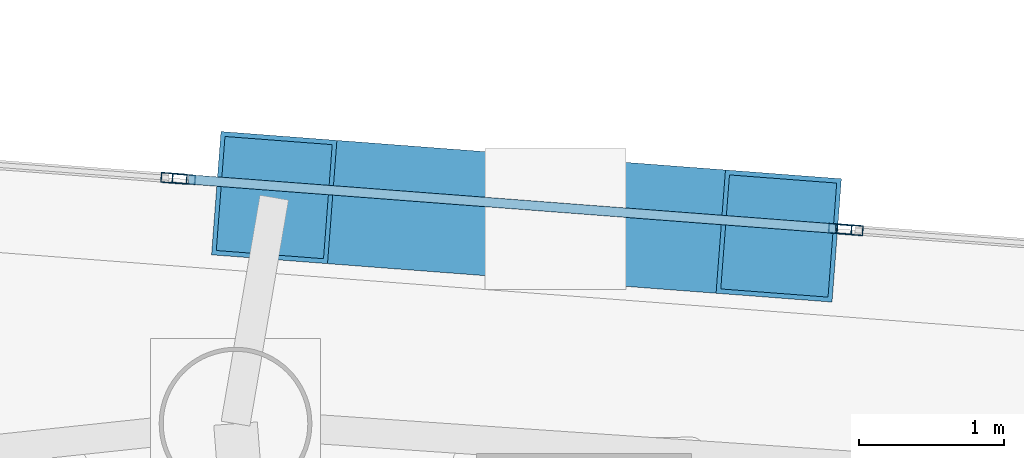
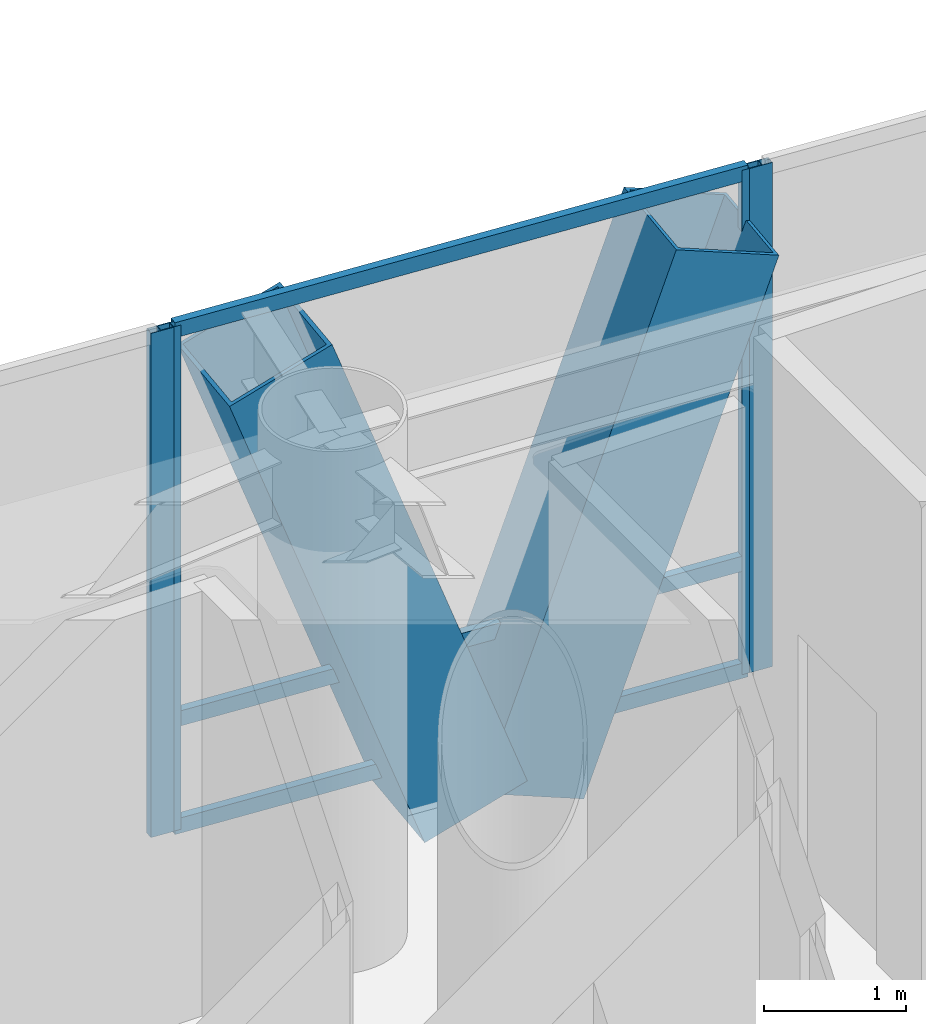
# One storey, part 13 of 21: 9 members, 3 elements without a shape of their own.
"""IFC4 building model written with IfcOpenShell, lengths in metres."""

from ifc_helpers import new_model, si_unit, direction, frame, origin, origin_2d, place, context, subcontext, project, spatial, hollow_rectangle, extrude, material, layer, layer_set, material_profile, profile_set, type_object, element, aggregate, save


model = new_model("IFC4")

# Units and contexts
model_context = context("Model", 3, precision=1e-05, world=origin(), true_north=direction((0.0, 1.0)))
body_context = subcontext(model_context, "Body", "Model", "MODEL_VIEW")
ifc_project = project(units=[si_unit("LENGTHUNIT", "METRE"), si_unit("AREAUNIT", "SQUARE_METRE"), si_unit("VOLUMEUNIT", "CUBIC_METRE"), si_unit("PLANEANGLEUNIT", "RADIAN"), si_unit("MASSUNIT", "GRAM", prefix="KILO")], contexts=[model_context])

# Site, building, storey
site_placement = place(None, origin())
site = spatial("IfcSite", under=ifc_project, at=site_placement, CompositionType="ELEMENT")
building_placement = place(site_placement, origin())
building = spatial("IfcBuilding", under=site, at=building_placement, Name="Qianvela Tower", CompositionType="ELEMENT")
storey_placement = place(building_placement, frame((0.0, 0.0, 234.5)))
storey = spatial("IfcBuildingStorey", under=building, at=storey_placement, Name="L60", CompositionType="ELEMENT", Elevation=234.5)

# Curtain wall, members
ifc_material_1 = material(Name="Anodised Architectural Aluminium and Insulated Spandrel Panel", Category="aluminium")
ifc_layer_1 = layer(ifc_material_1, 0.179931640625)
ifc_layer_set_1 = layer_set([ifc_layer_1], Name="Anodised Architectural Aluminium and Insulated Spandrel Panel")
curtain_wall_type_1 = type_object("IfcCurtainWallType", Name="CW-BRACEBAY", PredefinedType="USERDEFINED", material=ifc_layer_set_1)
curtain_wall_1_placement = place(storey_placement, origin())
curtain_wall_1 = element("IfcCurtainWall", 1, at=curtain_wall_1_placement, inside=storey, type_object=curtain_wall_type_1, Name="L60 CW-BRACEBAY Curtain Wall 02B", ObjectType="CURTAIN_WALL_SYSTEM", PredefinedType="USERDEFINED")
ifc_material_2 = material(Name="Anodised Architectural Aluminium 6063-T6", Category="aluminium")
ifc_material_profile_1 = material_profile(ifc_material_2, hollow_rectangle(XDim=0.06494140625, YDim=0.159912109375, WallThickness=0.0048828125, at=origin_2d()), Name="ALU-MULL-65x160")
ifc_profile_set_1 = profile_set([ifc_material_profile_1], Name="Anodised Architectural Aluminium 6063-T6")
member_type_1 = type_object("IfcMemberType", Name="CW-BRACEBAY-MULL", PredefinedType="MULLION", material=ifc_profile_set_1)
member_1_placement = place(storey_placement, frame((42.38134765625, 37.110595703125, 0.0), z_axis=(0.0, 0.0, 1.0), x_axis=(-0.075905102383, -0.997115046237, 0.0)))
member_1 = element("IfcMember", 2, at=member_1_placement, type_object=member_type_1, Name="CW-9 mullion 1", PredefinedType="MULLION", context=body_context, shape_type="SweptSolid", body=[
    extrude(hollow_rectangle(XDim=0.06494140625, YDim=0.159912109375, WallThickness=0.0048828125, at=origin_2d()), origin(), (0.0, 0.0, 1.0), 4.320068359375),
])
member_2_placement = place(storey_placement, frame((37.869384765625, 37.4541015625, 0.0), z_axis=(0.0, 0.0, 1.0), x_axis=(-0.075905102383, -0.997115046237, 0.0)))
member_2 = element("IfcMember", 3, at=member_2_placement, type_object=member_type_1, Name="CW-9 mullion 2", PredefinedType="MULLION", context=body_context, shape_type="SweptSolid", body=[
    extrude(hollow_rectangle(XDim=0.06494140625, YDim=0.159912109375, WallThickness=0.0048828125, at=origin_2d()), origin(), (0.0, 0.0, 1.0), 4.320068359375),
])
ifc_material_3 = material(Name="Anodised Architectural Aluminium 6063-T6", Category="aluminium")
ifc_material_profile_2 = material_profile(ifc_material_3, hollow_rectangle(XDim=0.06494140625, YDim=0.1298828125, WallThickness=0.00439453125, at=origin_2d()), Name="ALU-TRAN-65x130")
ifc_profile_set_2 = profile_set([ifc_material_profile_2], Name="Anodised Architectural Aluminium 6063-T6")
member_type_2 = type_object("IfcMemberType", Name="CW-BRACEBAY-TRAN", PredefinedType="USERDEFINED", material=ifc_profile_set_2)
member_3_placement = place(storey_placement, frame((42.348876953125, 37.113037109375, 0.032470703125), z_axis=(-0.997113437434, 0.075926233199, 0.0), x_axis=(-0.075926233199, -0.997113437434, 0.0)))
member_3 = element("IfcMember", 4, at=member_3_placement, type_object=member_type_2, Name="CW-9 transom 1.1", ObjectType="TRANSOM", PredefinedType="USERDEFINED", context=body_context, shape_type="SweptSolid", body=[
    extrude(hollow_rectangle(XDim=0.06494140625, YDim=0.1298828125, WallThickness=0.00439453125, at=origin_2d()), origin(), (0.0, 0.0, 1.0), 4.4599609375),
])
member_4_placement = place(storey_placement, frame((42.348876953125, 37.113037109375, 0.949951171875), z_axis=(-0.997113437434, 0.075926233199, 0.0), x_axis=(-0.075926233199, -0.997113437434, 0.0)))
member_4 = element("IfcMember", 5, at=member_4_placement, type_object=member_type_2, Name="CW-9 transom 1.2", ObjectType="TRANSOM", PredefinedType="USERDEFINED", context=body_context, shape_type="SweptSolid", body=[
    extrude(hollow_rectangle(XDim=0.06494140625, YDim=0.1298828125, WallThickness=0.00439453125, at=origin_2d()), origin(), (0.0, 0.0, 1.0), 4.4599609375),
])
member_5_placement = place(storey_placement, frame((42.348876953125, 37.113037109375, 4.28759765625), z_axis=(-0.997113437434, 0.075926233199, 0.0), x_axis=(-0.075926233199, -0.997113437434, 0.0)))
member_5 = element("IfcMember", 6, at=member_5_placement, type_object=member_type_2, Name="CW-9 transom 1.3", ObjectType="TRANSOM", PredefinedType="USERDEFINED", context=body_context, shape_type="SweptSolid", body=[
    extrude(hollow_rectangle(XDim=0.06494140625, YDim=0.1298828125, WallThickness=0.00439453125, at=origin_2d()), origin(), (0.0, 0.0, 1.0), 4.4599609375),
])
aggregate(curtain_wall_1, [member_1, member_2, member_3, member_4, member_5])

# Curtain wall, member
ifc_material_4 = material(Name="Anodised Architectural Aluminium and Low-E Glass", Category="aluminium")
ifc_layer_2 = layer(ifc_material_4, 0.18994140625)
ifc_layer_set_2 = layer_set([ifc_layer_2], Name="Anodised Architectural Aluminium and Low-E Glass")
curtain_wall_type_2 = type_object("IfcCurtainWallType", Name="CW-SKYLOBBY", PredefinedType="USERDEFINED", material=ifc_layer_set_2)
curtain_wall_2_placement = place(storey_placement, origin())
curtain_wall_2 = element("IfcCurtainWall", 7, at=curtain_wall_2_placement, inside=storey, type_object=curtain_wall_type_2, Name="L60 CW-SKYLOBBY Curtain Wall 02A", ObjectType="CURTAIN_WALL_SYSTEM", PredefinedType="USERDEFINED")
ifc_material_5 = material(Name="Anodised Architectural Aluminium 6063-T6", Category="aluminium")
ifc_material_profile_3 = material_profile(ifc_material_5, hollow_rectangle(XDim=0.070068359375, YDim=0.179931640625, WallThickness=0.0048828125, at=origin_2d()), Name="ALU-MULL-70x180")
ifc_profile_set_3 = profile_set([ifc_material_profile_3], Name="Anodised Architectural Aluminium 6063-T6")
member_type_3 = type_object("IfcMemberType", Name="CW-SKYLOBBY-MULL", PredefinedType="MULLION", material=ifc_profile_set_3)
member_6_placement = place(storey_placement, frame((42.44873046875, 37.10546875, 0.0), z_axis=(0.0, 0.0, 1.0), x_axis=(-0.075899290983, -0.997115488611, 0.0)))
member_6 = element("IfcMember", 8, at=member_6_placement, type_object=member_type_3, Name="CW-7 mullion 3", PredefinedType="MULLION", context=body_context, shape_type="SweptSolid", body=[
    extrude(hollow_rectangle(XDim=0.070068359375, YDim=0.179931640625, WallThickness=0.0048828125, at=origin_2d()), origin(), (0.0, 0.0, 1.0), 4.320068359375),
])
aggregate(curtain_wall_2, [member_6])

curtain_wall_3_placement = place(storey_placement, origin())
curtain_wall_3 = element("IfcCurtainWall", 9, at=curtain_wall_3_placement, inside=storey, type_object=curtain_wall_type_2, Name="L60 CW-SKYLOBBY Curtain Wall 02C", ObjectType="CURTAIN_WALL_SYSTEM", PredefinedType="USERDEFINED")
member_7_placement = place(storey_placement, frame((37.80224609375, 37.459228515625, 0.0), z_axis=(0.0, 0.0, 1.0), x_axis=(-0.075900155544, -0.997115422801, 0.0)))
member_7 = element("IfcMember", 10, at=member_7_placement, type_object=member_type_3, Name="CW-7 mullion 1", PredefinedType="MULLION", context=body_context, shape_type="SweptSolid", body=[
    extrude(hollow_rectangle(XDim=0.070068359375, YDim=0.179931640625, WallThickness=0.0048828125, at=origin_2d()), origin(), (0.0, 0.0, 1.0), 4.320068359375),
])
aggregate(curtain_wall_3, [member_7])

# Members
ifc_material_6 = material(Name="Steel Q420GJC", Category="steel")
ifc_material_profile_4 = material_profile(ifc_material_6, hollow_rectangle(XDim=0.85009765625, YDim=0.85009765625, WallThickness=0.031982421875, at=origin_2d()), Name="MBOX-850x850x32")
ifc_profile_set_4 = profile_set([ifc_material_profile_4], Name="Steel Q420GJC")
member_type_4 = type_object("IfcMemberType", Name="MBR-MBRACE-850", PredefinedType="BRACE", material=ifc_profile_set_4)
for number, where, z_axis, x_axis, name in (
    (11, (40.444580078125, 37.177978515625, -0.179931640625), (0.33922574273, -0.02586712499, 0.940349290059), (0.076032696871, 0.997105324931, 0.0), "L60 Tier 10 Exterior Mega-Brace F1A"),
    (12, (40.005859375, 37.211181640625, -0.179931640625), (-0.339274135651, 0.025866645094, 0.940331844377), (-0.076020512271, -0.997106253974, 0.0), "L60 Tier 10 Exterior Mega-Brace F1B"),
):
    element("IfcMember", number, at=place(storey_placement, frame(where, z_axis=z_axis, x_axis=x_axis)), inside=storey, type_object=member_type_4, Name=name, PredefinedType="BRACE", context=body_context, shape_type="SweptSolid", body=[
        extrude(hollow_rectangle(XDim=0.85009765625, YDim=0.85009765625, WallThickness=0.031982421875, at=origin_2d()), origin(), (0.0, 0.0, 1.0), 4.46435546875),
    ])

save(model, "model.ifc")
